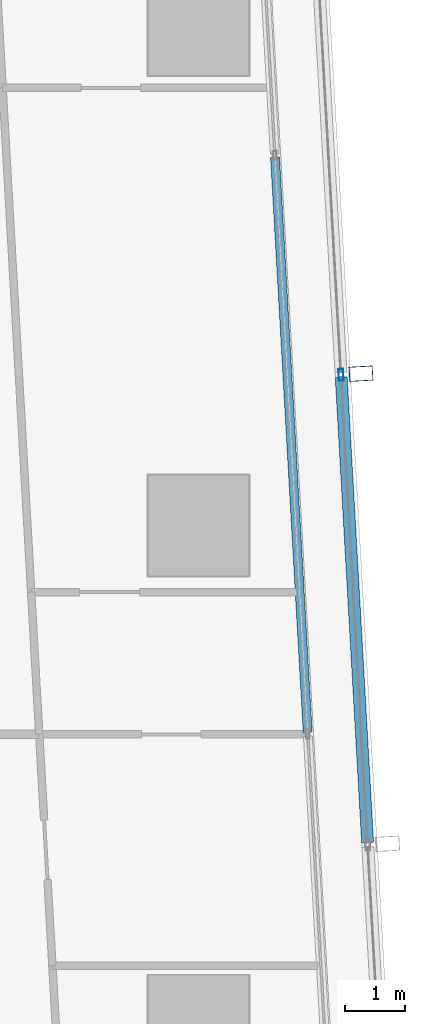
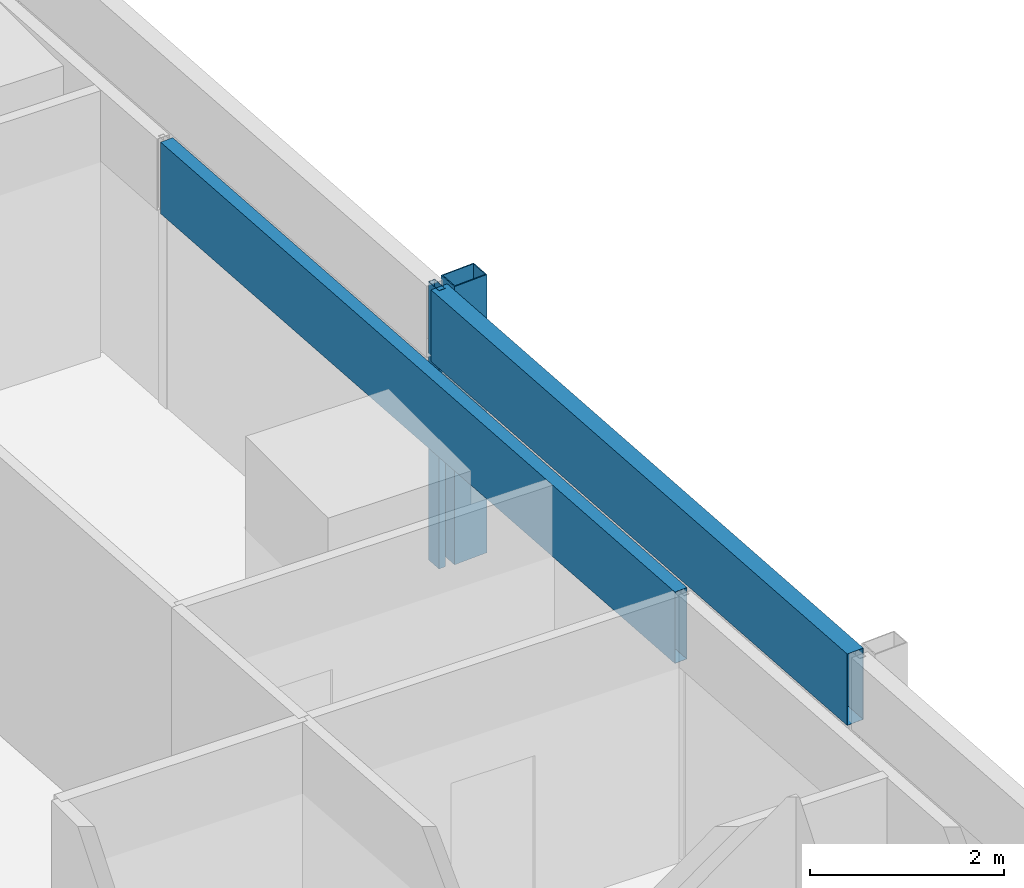
# One storey, part 15 of 39: 4 members, 2 elements without a shape of their own.
"""IFC4 building model written with IfcOpenShell, lengths in metres."""

from ifc_helpers import new_model, si_unit, direction, frame, origin, origin_2d, place, context, subcontext, project, spatial, hollow_rectangle, extrude, material, material_profile, profile_set, type_object, element, aggregate, save


model = new_model("IFC4")

# Units and contexts
model_context = context("Model", 3, precision=1e-05, world=origin(), true_north=direction((0.0, 1.0)))
body_context = subcontext(model_context, "Body", "Model", "MODEL_VIEW")
ifc_project = project(units=[si_unit("LENGTHUNIT", "METRE"), si_unit("AREAUNIT", "SQUARE_METRE"), si_unit("VOLUMEUNIT", "CUBIC_METRE"), si_unit("PLANEANGLEUNIT", "RADIAN"), si_unit("MASSUNIT", "GRAM", prefix="KILO")], contexts=[model_context])

# Site, building, storey
site_placement = place(None, origin())
site = spatial("IfcSite", under=ifc_project, at=site_placement, CompositionType="ELEMENT")
building_placement = place(site_placement, origin())
building = spatial("IfcBuilding", under=site, at=building_placement, Name="Rekha Terrace Tower", CompositionType="ELEMENT")
storey_placement = place(building_placement, frame((0.0, 0.0, 183.949951171875)))
storey = spatial("IfcBuildingStorey", under=building, at=storey_placement, Name="L46", CompositionType="ELEMENT", Elevation=183.949951171875)

# Curtain wall, member
ifc_material_1 = material(Name="Aluminium framing", Category="aluminium")
curtain_wall_type_1 = type_object("IfcCurtainWallType", Name="CW2 double skin outer glazing", PredefinedType="USERDEFINED", material=ifc_material_1)
curtain_wall_1_placement = place(storey_placement, origin())
curtain_wall_1 = element("IfcCurtainWall", 1, at=curtain_wall_1_placement, inside=storey, type_object=curtain_wall_type_1, Name="CW2 double skin outer glazing", ObjectType="DOUBLE SKIN OUTER GLAZING", PredefinedType="USERDEFINED")
ifc_material_2 = material(Name="Steel S355 with fluorocarbon finish", Category="steel")
ifc_material_profile_1 = material_profile(ifc_material_2, hollow_rectangle(XDim=0.25, YDim=0.39990234375, WallThickness=0.012451171875, at=origin_2d()), Name="RHS400x250x12.5")
ifc_profile_set_1 = profile_set([ifc_material_profile_1], Name="Steel S355 with fluorocarbon finish")
member_type_1 = type_object("IfcMemberType", Name="BL1 facade blade RHS 400 x 250", PredefinedType="USERDEFINED", material=ifc_profile_set_1)
member_1_placement = place(storey_placement, frame((61.528076171875, 44.546630859375, 0.0), z_axis=(0.0, 0.0, 1.0), x_axis=(-0.056673619809, 0.998392758797, 0.0)))
member_1 = element("IfcMember", 2, at=member_1_placement, type_object=member_type_1, Name="Facade blade", ObjectType="FACADE BLADE", PredefinedType="USERDEFINED", context=body_context, shape_type="SweptSolid", body=[
    extrude(hollow_rectangle(XDim=0.25, YDim=0.39990234375, WallThickness=0.012451171875, at=origin_2d()), origin(), (0.0, 0.0, 1.0), 3.5),
])

curtain_wall_type_2 = type_object("IfcCurtainWallType", Name="CW1 double skin inner glazing", PredefinedType="USERDEFINED", material=ifc_material_1)
curtain_wall_2_placement = place(storey_placement, origin())
curtain_wall_2 = element("IfcCurtainWall", 3, at=curtain_wall_2_placement, inside=storey, type_object=curtain_wall_type_2, Name="CW1 double skin inner glazing", ObjectType="DOUBLE SKIN INNER GLAZING", PredefinedType="USERDEFINED")
ifc_material_3 = material(Name="Insulated aluminium spandrel box", Category="aluminium")
ifc_material_profile_2 = material_profile(ifc_material_3, hollow_rectangle(XDim=0.14990234375, YDim=0.89990234375, WallThickness=0.0029296875, at=origin_2d()), Name="AL SPANDREL BOX 150x900")
ifc_profile_set_2 = profile_set([ifc_material_profile_2], Name="Insulated aluminium spandrel box")
member_type_2 = type_object("IfcMemberType", Name="CW1 spandrel transom 150 x 900", PredefinedType="USERDEFINED", material=ifc_profile_set_2)
member_2_placement = place(storey_placement, frame((60.6328125, 38.52734375, 3.050048828125), z_axis=(-0.056681484311, 0.998392312338, 0.0), x_axis=(-0.998392312338, -0.056681484311, 0.0)))
member_2 = element("IfcMember", 4, at=member_2_placement, type_object=member_type_2, Name="CW1 spandrel transom 2", ObjectType="TRANSOM", PredefinedType="USERDEFINED", context=body_context, shape_type="SweptSolid", body=[
    extrude(hollow_rectangle(XDim=0.14990234375, YDim=0.89990234375, WallThickness=0.0029296875, at=origin_2d()), origin(), (0.0, 0.0, 1.0), 9.66552734375),
])
aggregate(curtain_wall_2, [member_2])

# Member
ifc_material_4 = material(Name="Aluminium mullion section", Category="aluminium")
ifc_material_profile_3 = material_profile(ifc_material_4, hollow_rectangle(XDim=0.080078125, YDim=0.199951171875, WallThickness=0.00390625, at=origin_2d()), Name="AL RHS 80x200")
ifc_profile_set_3 = profile_set([ifc_material_profile_3], Name="Aluminium mullion section")
member_type_3 = type_object("IfcMemberType", Name="CW2 mullion RHS 80 x 200", PredefinedType="MULLION", material=ifc_profile_set_3)
member_3_placement = place(storey_placement, frame((61.193603515625, 44.527587890625, 0.0), z_axis=(0.0, 0.0, 1.0), x_axis=(-0.998392782919, -0.05667319486, 0.0)))
member_3 = element("IfcMember", 5, at=member_3_placement, type_object=member_type_3, Name="CW2 mullion 3", PredefinedType="MULLION", context=body_context, shape_type="SweptSolid", body=[
    extrude(hollow_rectangle(XDim=0.080078125, YDim=0.199951171875, WallThickness=0.00390625, at=origin_2d()), origin(), (0.0, 0.0, 1.0), 3.5),
])

ifc_material_profile_4 = material_profile(ifc_material_3, hollow_rectangle(XDim=0.199951171875, YDim=0.89990234375, WallThickness=0.0029296875, at=origin_2d()), Name="AL SPANDREL BOX 200x900")
ifc_profile_set_4 = profile_set([ifc_material_profile_4], Name="Insulated aluminium spandrel box")
member_type_4 = type_object("IfcMemberType", Name="CW2 spandrel transom 200 x 900", PredefinedType="USERDEFINED", material=ifc_profile_set_4)
member_4_placement = place(storey_placement, frame((61.63916015625, 36.6767578125, 3.050048828125), z_axis=(-0.056669428082, 0.998392996731, 0.0), x_axis=(-0.998392996731, -0.056669428082, 0.0)))
member_4 = element("IfcMember", 6, at=member_4_placement, type_object=member_type_4, Name="CW2 spandrel transom 2", ObjectType="TRANSOM", PredefinedType="USERDEFINED", context=body_context, shape_type="SweptSolid", body=[
    extrude(hollow_rectangle(XDim=0.199951171875, YDim=0.89990234375, WallThickness=0.0029296875, at=origin_2d()), origin(), (0.0, 0.0, 1.0), 7.823486328125),
])

aggregate(curtain_wall_1, [member_3, member_4, member_1])

save(model, "model.ifc")
